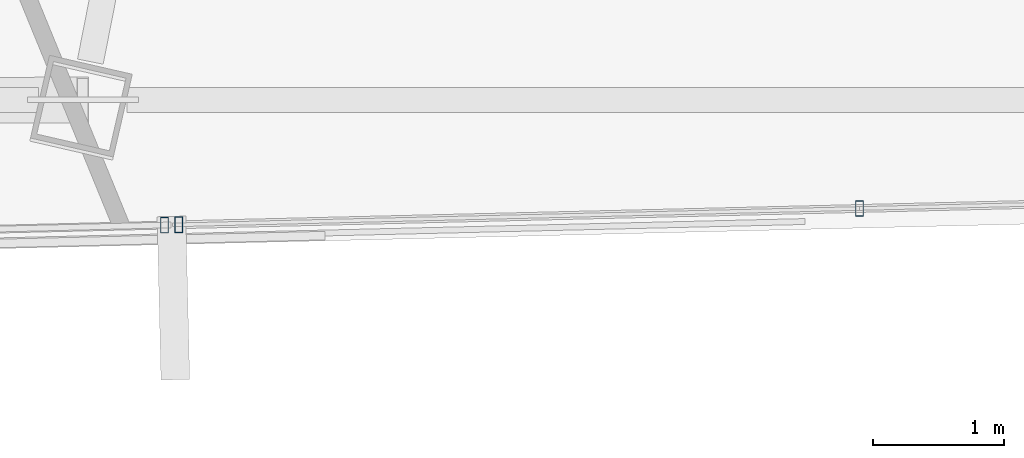
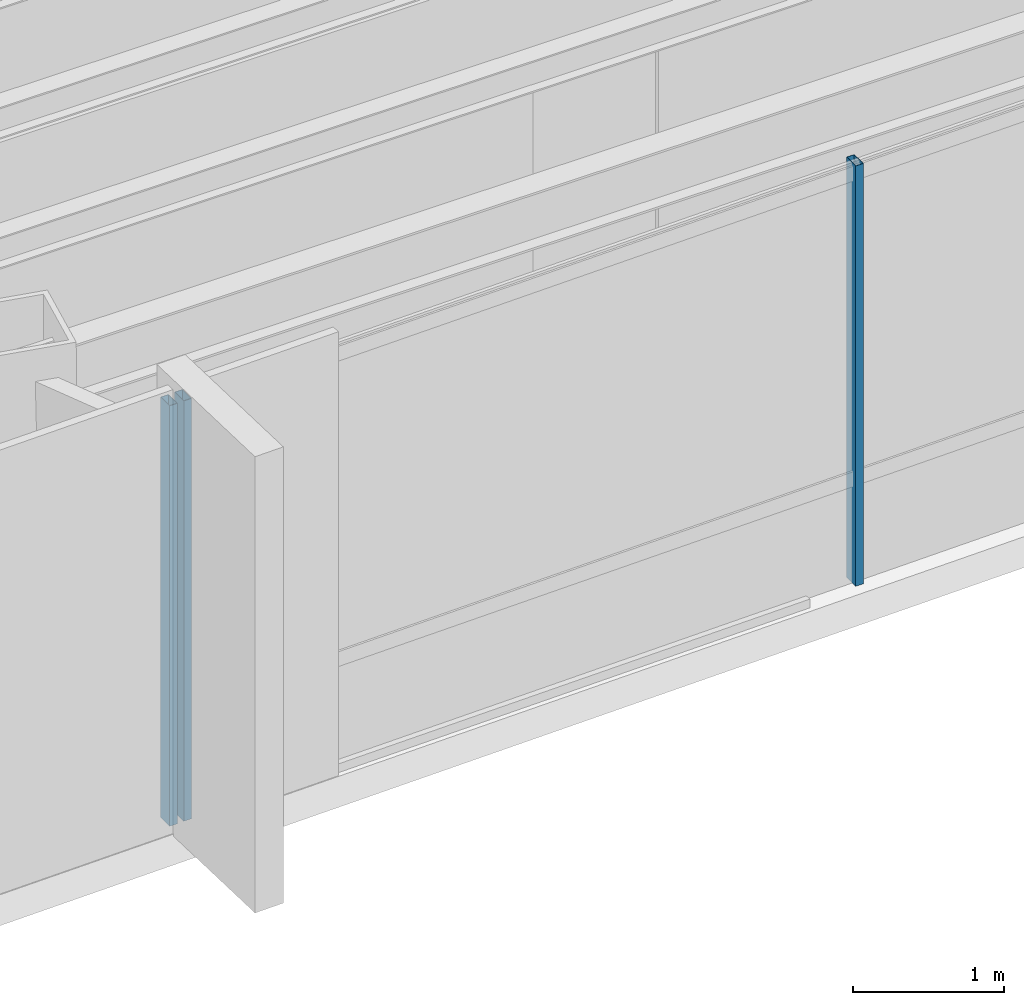
# One storey, part 19 of 45: 3 members, 2 elements without a shape of their own.
"""IFC4 building model written with IfcOpenShell, lengths in metres."""

from ifc_helpers import new_model, si_unit, direction, frame, origin, origin_2d, place, context, subcontext, project, spatial, hollow_rectangle, extrude, source, transform, mapped, material, material_profile, profile_set, type_object, type_shapes, element, aggregate, save


model = new_model("IFC4")

# Units and contexts
model_context = context("Model", 3, precision=1e-05, world=origin(), true_north=direction((0.0, 1.0)))
body_context = subcontext(model_context, "Body", "Model", "MODEL_VIEW")
ifc_project = project(units=[si_unit("LENGTHUNIT", "METRE"), si_unit("AREAUNIT", "SQUARE_METRE"), si_unit("VOLUMEUNIT", "CUBIC_METRE"), si_unit("PLANEANGLEUNIT", "RADIAN"), si_unit("MASSUNIT", "GRAM", prefix="KILO")], contexts=[model_context])

# Site, building, storey
site_placement = place(None, origin())
site = spatial("IfcSite", under=ifc_project, at=site_placement, CompositionType="ELEMENT")
building_placement = place(site_placement, origin())
building = spatial("IfcBuilding", under=site, at=building_placement, Name="Caelisora Broadcast Tower", CompositionType="ELEMENT")
storey_placement = place(building_placement, frame((0.0, 0.0, 266.35009765625)))
storey = spatial("IfcBuildingStorey", under=building, at=storey_placement, Name="L70", CompositionType="ELEMENT", Elevation=266.35009765625)

# Curtain wall, members
ifc_material_1 = material(Name="Unitised Aluminium and Low-E Glass Curtain Wall", Category="glass")
curtain_wall_type_1 = type_object("IfcCurtainWallType", Name="CW-Z5", PredefinedType="NOTDEFINED", material=ifc_material_1)
curtain_wall_1_placement = place(storey_placement, origin())
curtain_wall_1 = element("IfcCurtainWall", 1, at=curtain_wall_1_placement, inside=storey, type_object=curtain_wall_type_1, Name="L70 curtain wall CW-Z5", PredefinedType="NOTDEFINED")
ifc_material_2 = material(Name="Aluminium 6063-T6 Anodised Terracotta Bronze", Category="aluminium")
ifc_material_profile = material_profile(ifc_material_2, hollow_rectangle(XDim=0.06005859375, YDim=0.1201171875, WallThickness=0.0029296875, at=origin_2d()), Name="Aluminium 6063-T6 Anodised Terracotta Bronze")
ifc_profile_set = profile_set([ifc_material_profile], Name="Aluminium 6063-T6 Anodised Terracotta Bronze")
member_type = type_object("IfcMemberType", Name="CWM-04", PredefinedType="MULLION", material=ifc_profile_set)
shared_shape = source(origin(), body_context, "Body", "SweptSolid", [
    extrude(hollow_rectangle(XDim=0.06005859375, YDim=0.1201171875, WallThickness=0.0029296875, at=origin_2d()), origin(), (0.0, 0.0, 1.0), 3.39990234375),
])
type_shapes(member_type, [shared_shape])
member_1_placement = place(storey_placement, frame((49.911376953125, 8.76953125, 0.0), z_axis=(0.0, 0.0, 1.0), x_axis=(1.0, 0.0, 0.0)))
member_1 = element("IfcMember", 2, at=member_1_placement, type_object=member_type, Name="L70-CW-B05 mullion #2", PredefinedType="MULLION", context=body_context, shape_type="MappedRepresentation", body=[
    mapped(shared_shape, transform((0.0, 0.0, 0.0), scale=1.0)),
])
member_2_placement = place(storey_placement, frame((44.70068359375, 8.64501953125, 0.0), z_axis=(0.0, 0.0, 1.0), x_axis=(1.0, 0.0, 0.0)))
member_2 = element("IfcMember", 3, at=member_2_placement, type_object=member_type, Name="L70-CW-B05 mullion #3", PredefinedType="MULLION", context=body_context, shape_type="MappedRepresentation", body=[
    mapped(shared_shape, transform((0.0, 0.0, 0.0), scale=1.0)),
])
aggregate(curtain_wall_1, [member_1, member_2])

# Curtain wall, member
ifc_material_3 = material(Name="Unitised Aluminium Insulated Shadow-Box Spandrel Curtain Wall", Category="aluminium")
curtain_wall_type_2 = type_object("IfcCurtainWallType", Name="CW-SP3", PredefinedType="NOTDEFINED", material=ifc_material_3)
curtain_wall_2_placement = place(storey_placement, origin())
curtain_wall_2 = element("IfcCurtainWall", 4, at=curtain_wall_2_placement, inside=storey, type_object=curtain_wall_type_2, Name="L70 curtain wall CW-SP3", PredefinedType="NOTDEFINED")
member_3_placement = place(storey_placement, frame((44.5908203125, 8.64208984375, 0.0), z_axis=(0.0, 0.0, 1.0), x_axis=(1.0, 0.0, 0.0)))
member_3 = element("IfcMember", 5, at=member_3_placement, type_object=member_type, Name="L70-CW-B06 mullion #0", PredefinedType="MULLION", context=body_context, shape_type="MappedRepresentation", body=[
    mapped(shared_shape, transform((0.0, 0.0, 0.0), scale=1.0)),
])
aggregate(curtain_wall_2, [member_3])

save(model, "model.ifc")
